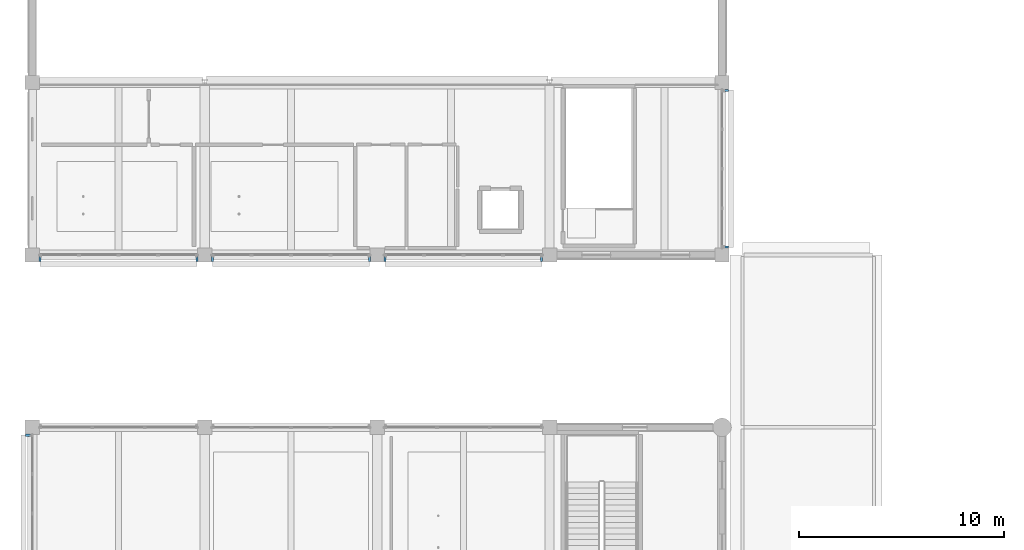
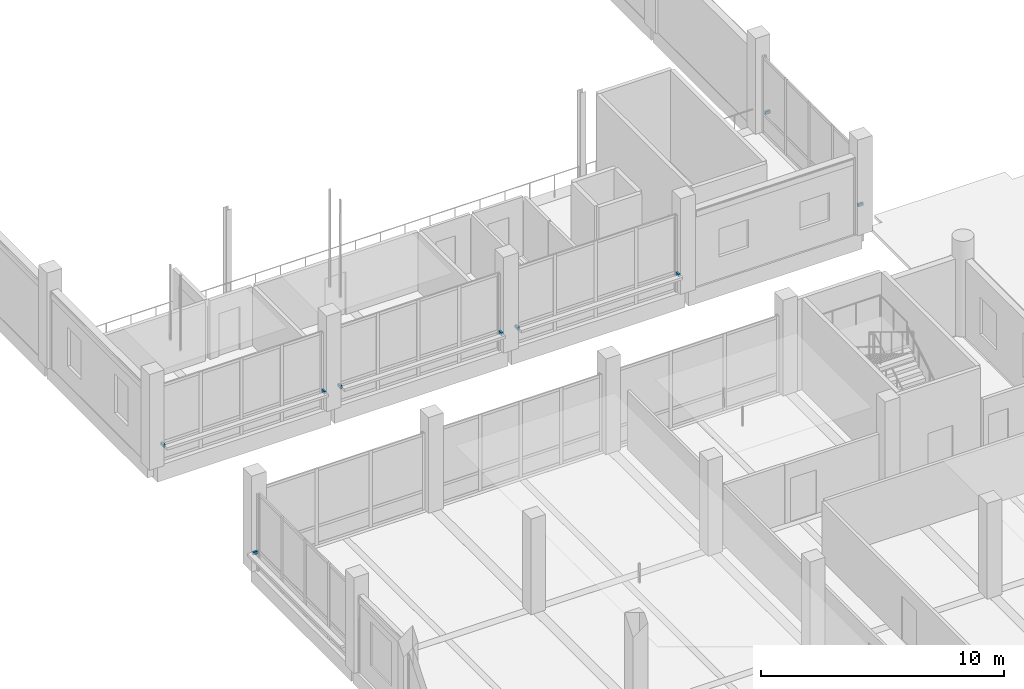
# One storey, part 83 of 128: 9 discrete accessories.
"""IFC4 building model written with IfcOpenShell, lengths in metres."""

import ifcopenshell
import ifcopenshell.guid

model = None  # the IFC model being written
_history = None  # IfcOwnerHistory: only IFC2X3 demands one
_inside = {}  # id of a spatial element -> (the spatial element, [elements in it])
_under = {}  # id of a project, library or spatial element -> (it, [spatial elements below it])
_declared = {}  # id of a project -> (the project, [libraries it declares])
_typed = {}  # id of a type object -> (the type object, [elements of that type])
_made_of = {}  # id of a material, layer set ... -> (it, [elements and type objects made of it])


def new_model(schema):
    """Start an empty IFC model of exactly this schema.

    Asked for "IFC4X3", IfcOpenShell would pick the latest addendum, in which some entities
    have other attributes; the version numbers below select the first issue.
    IFC2X3 requires an IfcOwnerHistory on every rooted entity: one is made here for all.
    """
    global model, _history
    if schema == "IFC4X3":
        model = ifcopenshell.file(schema_version=(4, 3, 0, 0))
    else:
        model = ifcopenshell.file(schema=schema)
    _inside.clear()
    _under.clear()
    _declared.clear()
    _typed.clear()
    _made_of.clear()
    _history = None
    if model.schema == "IFC2X3":
        org = make("IfcOrganization", Name="unknown")
        user = make(
            "IfcPersonAndOrganization",
            ThePerson=make("IfcPerson", FamilyName="unknown"),
            TheOrganization=org,
        )
        app = make(
            "IfcApplication",
            ApplicationDeveloper=org,
            Version="unknown",
            ApplicationFullName="unknown",
            ApplicationIdentifier="unknown",
        )
        _history = make(
            "IfcOwnerHistory",
            OwningUser=user,
            OwningApplication=app,
            ChangeAction="ADDED",
            CreationDate=0,
        )
    return model


def make(cls, **values):
    """One entity of the class cls with the attributes given. An attribute that is None is left unset."""
    return model.create_entity(
        cls, **{name: value for name, value in values.items() if value is not None}
    )


def rooted(cls, **values):
    """An entity with a GlobalId (a new one), such as an element, a storey or a relation."""
    return make(cls, GlobalId=ifcopenshell.guid.new(), OwnerHistory=_history, **values)


def si_unit(unit_type, name, prefix=None):
    """IfcSIUnit, for example si_unit("LENGTHUNIT", "METRE", prefix="MILLI")."""
    return make("IfcSIUnit", UnitType=unit_type, Prefix=prefix, Name=name)


def assignment(units):
    """IfcUnitAssignment: the units of a project."""
    return None if units is None else make("IfcUnitAssignment", Units=units)


def point(xyz):
    """IfcCartesianPoint."""
    return None if xyz is None else make("IfcCartesianPoint", Coordinates=xyz)


def direction(xyz):
    """IfcDirection."""
    return None if xyz is None else make("IfcDirection", DirectionRatios=xyz)


def frame(location, z_axis=None, x_axis=None):
    """IfcAxis2Placement3D, a coordinate frame: its origin and axes. An axis left out is left unset."""
    return make(
        "IfcAxis2Placement3D",
        Location=point(location),
        Axis=direction(z_axis),
        RefDirection=direction(x_axis),
    )


def frame_2d(location, x_axis=None):
    """IfcAxis2Placement2D, a coordinate frame in the plane: its origin and x axis."""
    return make(
        "IfcAxis2Placement2D", Location=point(location), RefDirection=direction(x_axis)
    )


def origin():
    """The frame at (0, 0, 0) with its axes left unset."""
    return frame((0.0, 0.0, 0.0))


def origin_2d():
    """The frame at (0, 0) in the plane with its x axis left unset."""
    return frame_2d((0.0, 0.0))


def place(relative_to, where):
    """IfcLocalPlacement: puts the frame where relative to a parent placement (None: the world)."""
    return make(
        "IfcLocalPlacement", PlacementRelTo=relative_to, RelativePlacement=where
    )


def context(
    kind, dimensions, precision=None, world=None, true_north=None, identifier=None
):
    """IfcGeometricRepresentationContext, for example the 3D "Model" context."""
    return make(
        "IfcGeometricRepresentationContext",
        ContextIdentifier=identifier,
        ContextType=kind,
        CoordinateSpaceDimension=dimensions,
        Precision=precision,
        WorldCoordinateSystem=world,
        TrueNorth=true_north,
    )


def subcontext(parent, identifier, kind, view, scale=None):
    """IfcGeometricRepresentationSubContext, for example "Body" below "Model"."""
    return make(
        "IfcGeometricRepresentationSubContext",
        ContextIdentifier=identifier,
        ContextType=kind,
        ParentContext=parent,
        TargetScale=scale,
        TargetView=view,
    )


def project(units=None, contexts=None):
    """IfcProject with its units and contexts."""
    return rooted(
        "IfcProject",
        Name="project",
        RepresentationContexts=contexts,
        UnitsInContext=assignment(units),
    )


def spatial(cls, under=None, at=None, **own):
    """A site, building, storey or space (cls), placed at a placement, below another one or the project."""
    s = rooted(cls, ObjectPlacement=at, **own)
    if under is not None:
        _under.setdefault(under.id(), (under, []))[1].append(s)
    return s


def profile(cls, at=None, kind="AREA", **sizes):
    """A parametric profile (cls). Its sizes go by their IFC names, for example OverallWidth=200.0."""
    return make(cls, ProfileType=kind, Position=at, **sizes)


def rectangle(**sizes):
    """IfcRectangleProfileDef."""
    return profile("IfcRectangleProfileDef", **sizes)


def extrude(swept, where, along, depth):
    """IfcExtrudedAreaSolid: the profile swept, set in the frame where, extruded along a direction by depth."""
    return make(
        "IfcExtrudedAreaSolid",
        SweptArea=swept,
        Position=where,
        ExtrudedDirection=direction(along),
        Depth=depth,
    )


def shape(context_of_items, identifier, shape_type, items):
    """IfcShapeRepresentation: the items that make up one representation, for example the "Body"."""
    return make(
        "IfcShapeRepresentation",
        ContextOfItems=context_of_items,
        RepresentationIdentifier=identifier,
        RepresentationType=shape_type,
        Items=items,
    )


def material(Name=None, Category=None):
    """IfcMaterial."""
    return make("IfcMaterial", Name=Name, Category=Category)


def made_of(thing, what):
    """Note that an element or type object is made of a material, layer set ...; save() writes the relation."""
    if what is not None:
        _made_of.setdefault(what.id(), (what, []))[1].append(thing)
    return thing


def type_object(cls, material=None, **own):
    """A type object (cls), such as IfcWallType, which elements share."""
    return made_of(rooted(cls, **own), material)


def element(
    cls,
    number,
    at=None,
    inside=None,
    cuts=None,
    type_object=None,
    material=None,
    context=None,
    identifier="Body",
    shape_type=None,
    held_by="IfcProductDefinitionShape",
    body=None,
    shapes=None,
    **own,
):
    """One element of the class cls, such as IfcWall. Its Tag is "e" and its number.

    at: its placement. inside: the storey or other place that contains it. cuts: it is an
    opening in that element (IfcRelVoidsElement). A single representation is given by context,
    identifier, shape_type and body (its items); several are given by shapes. held_by: the class
    of the entity that holds the representations. save() writes the other relations.
    """
    e = rooted(cls, Tag="e%d" % number, ObjectPlacement=at, **own)
    if body is not None:
        shapes = [shape(context, identifier, shape_type, body)]
    if shapes is not None:
        e.Representation = make(held_by, Representations=shapes)
    if inside is not None:
        _inside.setdefault(inside.id(), (inside, []))[1].append(e)
    if cuts is not None:
        rooted(
            "IfcRelVoidsElement", RelatingBuildingElement=cuts, RelatedOpeningElement=e
        )
    if type_object is not None:
        _typed.setdefault(type_object.id(), (type_object, []))[1].append(e)
    return made_of(e, material)


def aggregate(whole, parts):
    """IfcRelAggregates: a whole, such as a stair, and the parts it consists of."""
    return rooted("IfcRelAggregates", RelatingObject=whole, RelatedObjects=parts)


def save(model, path):
    """Write the relations noted so far, then the file.

    IfcRelAggregates (storeys below a building ...), IfcRelContainedInSpatialStructure (elements
    in a storey), IfcRelDefinesByType, IfcRelAssociatesMaterial and IfcRelDeclares: one each for
    every whole, place, type object, material and project.
    """
    for whole, parts in _under.values():
        aggregate(whole, parts)
    for where, things in _inside.values():
        rooted(
            "IfcRelContainedInSpatialStructure",
            RelatedElements=things,
            RelatingStructure=where,
        )
    for kind, things in _typed.values():
        rooted("IfcRelDefinesByType", RelatedObjects=things, RelatingType=kind)
    for what, things in _made_of.values():
        rooted("IfcRelAssociatesMaterial", RelatedObjects=things, RelatingMaterial=what)
    for by, libraries in _declared.values():
        rooted("IfcRelDeclares", RelatingContext=by, RelatedDefinitions=libraries)
    model.write(path)


model = new_model("IFC4")

# Units and contexts
model_context = context("Model", 3, precision=1e-05, world=origin(), true_north=direction((0.0, 1.0)))
body_context = subcontext(model_context, "Body", "Model", "MODEL_VIEW")
ifc_project = project(units=[si_unit("LENGTHUNIT", "METRE"), si_unit("AREAUNIT", "SQUARE_METRE"), si_unit("VOLUMEUNIT", "CUBIC_METRE"), si_unit("PLANEANGLEUNIT", "RADIAN"), si_unit("MASSUNIT", "GRAM", prefix="KILO")], contexts=[model_context])

# Site, building, storey
site_placement = place(None, origin())
site = spatial("IfcSite", under=ifc_project, at=site_placement, CompositionType="ELEMENT")
building_placement = place(site_placement, origin())
building = spatial("IfcBuilding", under=site, at=building_placement, Name="Telukmera Botanical Conservatory", CompositionType="ELEMENT")
storey_placement = place(building_placement, frame((0.0, 0.0, 5.39990234375)))
storey = spatial("IfcBuildingStorey", under=building, at=storey_placement, Name="L01", CompositionType="ELEMENT", Elevation=5.39990234375)

# Discrete accessories
ifc_material = material(Name="Steel S355", Category="steel")
discrete_accessory_type = type_object("IfcDiscreteAccessoryType", Name="Structural Steel Facade Outrigger Fin Bracket", PredefinedType="BRACKET", material=ifc_material)
for number, where, z_axis, x_axis, name in (
    (1, (8.784423828125, 83.0, 0.88037109375), (0.0, 0.0, 1.0), (1.0, 0.0, 0.0), "Facade Outrigger Bracket V2:L01:S1 A"),
    (2, (16.41552734375, 83.0, 0.88037109375), (0.0, 0.0, 1.0), (1.0, 0.0, 0.0), "Facade Outrigger Bracket V2:L01:S1 B"),
    (3, (17.1845703125, 83.0, 0.88037109375), (0.0, 0.0, 1.0), (1.0, 0.0, 0.0), "Facade Outrigger Bracket V2:L01:S2 A"),
    (4, (24.8154296875, 83.0, 0.88037109375), (0.0, 0.0, 1.0), (1.0, 0.0, 0.0), "Facade Outrigger Bracket V2:L01:S2 B"),
    (5, (25.58447265625, 83.0, 0.88037109375), (0.0, 0.0, 1.0), (1.0, 0.0, 0.0), "Facade Outrigger Bracket V2:L01:S3 A"),
    (6, (33.215576171875, 83.0, 0.88037109375), (0.0, 0.0, 1.0), (1.0, 0.0, 0.0), "Facade Outrigger Bracket V2:L01:S3 B"),
    (7, (42.199951171875, 83.58447265625, 0.88037109375), (0.0, 0.0, 1.0), (0.0, 1.0, 0.0), "Facade Outrigger Bracket V2:L01:E1 A"),
    (8, (42.199951171875, 91.215576171875, 0.88037109375), (0.0, 0.0, 1.0), (0.0, 1.0, 0.0), "Facade Outrigger Bracket V2:L01:E1 B"),
    (9, (8.199951171875, 74.41552734375, 0.88037109375), (0.0, 0.0, 1.0), (0.0, 1.0, 0.0), "Facade Outrigger Bracket V3:L01:W7 B"),
):
    element("IfcDiscreteAccessory", number, at=place(storey_placement, frame(where, z_axis=z_axis, x_axis=x_axis)), inside=storey, type_object=discrete_accessory_type, Name=name, PredefinedType="BRACKET", context=body_context, shape_type="SweptSolid", body=[
        extrude(rectangle(XDim=0.10009765625, YDim=0.239990234375, at=origin_2d()), origin(), (0.0, 0.0, 1.0), 0.139892578125),
    ])

save(model, "model.ifc")
